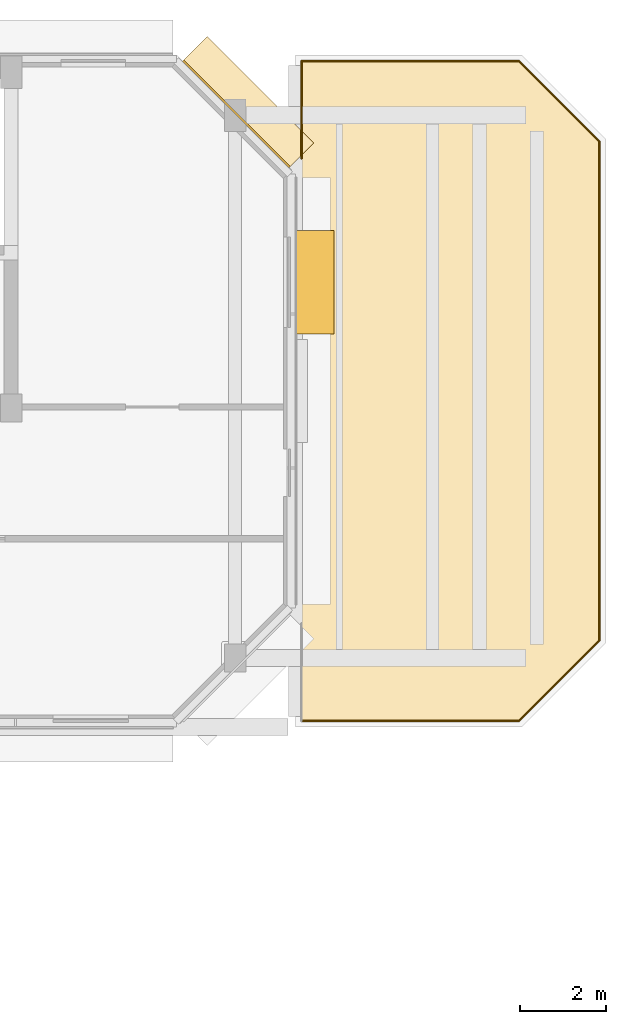
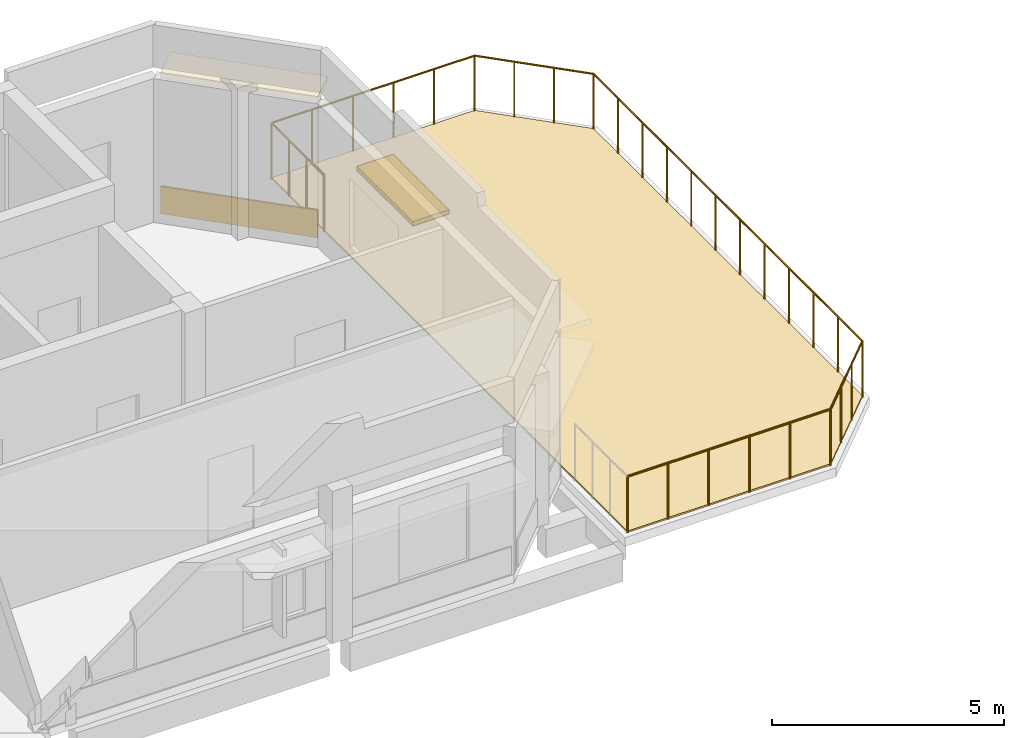
# One storey, part 17 of 17: 3 coverings, 1 railing, 1 shading device.
"""IFC4 building model written with IfcOpenShell, lengths in metres."""

from ifc_helpers import new_model, si_unit, direction, frame, origin, origin_2d, place, context, subcontext, project, spatial, polyline, rectangle, circle, outline, extrude, material, layer, layer_set, type_object, element, save


model = new_model("IFC4")

# Units and contexts
model_context = context("Model", 3, precision=1e-05, world=origin(), true_north=direction((0.0, 1.0)))
body_context = subcontext(model_context, "Body", "Model", "MODEL_VIEW")
ifc_project = project(units=[si_unit("LENGTHUNIT", "METRE"), si_unit("AREAUNIT", "SQUARE_METRE"), si_unit("VOLUMEUNIT", "CUBIC_METRE"), si_unit("PLANEANGLEUNIT", "RADIAN"), si_unit("MASSUNIT", "GRAM", prefix="KILO")], contexts=[model_context])

# Site, building, storey
site_placement = place(None, origin())
site = spatial("IfcSite", under=ifc_project, at=site_placement, CompositionType="ELEMENT")
building_placement = place(site_placement, origin())
building = spatial("IfcBuilding", under=site, at=building_placement, Name="Kelanivale Promenade Academy", CompositionType="ELEMENT")
storey_placement = place(building_placement, frame((0.0, 0.0, 20.199951171875)))
storey = spatial("IfcBuildingStorey", under=building, at=storey_placement, Name="L05", CompositionType="ELEMENT", Elevation=20.199951171875)

# Coverings
ifc_material_1 = material(Name="Warm ivory Art Deco stucco frieze band 40 mm", Category="masonry")
ifc_layer_1 = layer(ifc_material_1, 0.0400390625)
ifc_layer_set_1 = layer_set([ifc_layer_1], Name="Warm ivory Art Deco stucco frieze band 40 mm")
covering_type_1 = type_object("IfcCoveringType", Name="COV-CLD2 Warm ivory Art Deco stucco frieze ba", PredefinedType="CLADDING", material=ifc_layer_set_1)
covering_1_placement = place(storey_placement, frame((136.10302734375, 110.903076171875, 3.6201171875), z_axis=(0.0, 0.0, 1.0), x_axis=(-0.707106781187, 0.707106781187, 0.0)))
element("IfcCovering", 1, at=covering_1_placement, inside=storey, type_object=covering_type_1, Name="Art Deco projecting 820 mm streamline sunshade eyebrow ledge", PredefinedType="CLADDING", context=body_context, shape_type="SweptSolid", body=[
    extrude(rectangle(XDim=3.5009765625, YDim=0.820068359375, at=origin_2d()), origin(), (0.0, 0.0, 1.0), 0.139892578125),
])
covering_2_placement = place(storey_placement, frame((135.8310546875, 110.631103515625, 0.06005859375), z_axis=(0.0, 0.0, 1.0), x_axis=(-0.707106781187, 0.707106781187, 0.0)))
element("IfcCovering", 2, at=covering_2_placement, inside=storey, type_object=covering_type_1, Name="Art Deco ivory stucco sill frieze band", PredefinedType="CLADDING", context=body_context, shape_type="SweptSolid", body=[
    extrude(rectangle(XDim=3.5009765625, YDim=0.0400390625, at=origin_2d()), origin(), (0.0, 0.0, 1.0), 0.719970703125),
])
ifc_material_2 = material(Name="Impact-absorbing EPDM rooftop Play Deck surfacing 40 mm", Category="masonry")
ifc_layer_2 = layer(ifc_material_2, 0.0400390625)
ifc_layer_set_2 = layer_set([ifc_layer_2], Name="Impact-absorbing EPDM rooftop Play Deck surfacing 40 mm")
covering_type_2 = type_object("IfcCoveringType", Name="COV-FLR3 Impact-absorbing EPDM rooftop Play D", PredefinedType="FLOORING", material=ifc_layer_set_2)
covering_3_placement = place(storey_placement, origin())
element("IfcCovering", 3, at=covering_3_placement, inside=storey, type_object=covering_type_2, Name="Science Roof Observation Play Deck EPDM safety surfacing", PredefinedType="FLOORING", context=body_context, shape_type="SweptSolid", body=[
    extrude(outline(polyline([(142.387939453125, 96.5400390625), (144.260009765625, 98.412109375), (144.260009765625, 109.988037109375), (142.387939453125, 111.860107421875), (137.340087890625, 111.860107421875), (137.340087890625, 96.5400390625), (142.387939453125, 96.5400390625)])), origin(), (0.0, 0.0, 1.0), 0.0400390625),
])

# Railing
ifc_material_3 = material(Name="Powder-coated galvanized steel and stainless top rail", Category="steel")
railing_type = type_object("IfcRailingType", Name="GR-02 Play Deck Balustrade 1500mm", PredefinedType="BALUSTRADE", material=ifc_material_3)
railing_placement = place(storey_placement, frame((137.340087890625, 109.595947265625, 0.0)))
element("IfcRailing", 4, at=railing_placement, inside=storey, type_object=railing_type, Name="Science Roof Observation Play Deck 1500 mm safety balustrade", PredefinedType="BALUSTRADE", context=body_context, shape_type="SweptSolid", body=[
    extrude(circle(Radius=0.02392578125, at=origin_2d()), frame((0.0, 0.0, 1.47607421875), z_axis=(0.0, 1.0, 0.0), x_axis=(-1.0, 0.0, 0.0)), (0.0, 0.0, 1.0), 2.26416015625),
    extrude(circle(Radius=0.02392578125, at=origin_2d()), frame((0.0, 2.26416015625, 1.47607421875), z_axis=(1.0, 0.0, 0.0), x_axis=(0.0, 1.0, 0.0)), (0.0, 0.0, 1.0), 5.0478515625),
    extrude(circle(Radius=0.02392578125, at=origin_2d()), frame((5.0478515625, 2.26416015625, 1.47607421875), z_axis=(0.707106781187, -0.707106781187, 0.0), x_axis=(0.707106781187, 0.707106781187, 0.0)), (0.0, 0.0, 1.0), 2.6474609375),
    extrude(circle(Radius=0.02392578125, at=origin_2d()), frame((6.919921875, 0.39208984375, 1.47607421875), z_axis=(0.0, -1.0, 0.0), x_axis=(1.0, 0.0, 0.0)), (0.0, 0.0, 1.0), 11.575927734375),
    extrude(circle(Radius=0.02392578125, at=origin_2d()), frame((6.919921875, -11.183837890625, 1.47607421875), z_axis=(-0.707106781187, -0.707106781187, 0.0), x_axis=(0.707106781187, -0.707106781187, 0.0)), (0.0, 0.0, 1.0), 2.6474609375),
    extrude(circle(Radius=0.02392578125, at=origin_2d()), frame((5.0478515625, -13.055908203125, 1.47607421875), z_axis=(-1.0, 0.0, 0.0), x_axis=(0.0, -1.0, 0.0)), (0.0, 0.0, 1.0), 5.0478515625),
    extrude(circle(Radius=0.02099609375, at=origin_2d()), origin(), (0.0, 0.0, 1.0), 1.451904296875),
    extrude(circle(Radius=0.02099609375, at=origin_2d()), frame((0.0, 0.754638671875, 0.0)), (0.0, 0.0, 1.0), 1.451904296875),
    extrude(circle(Radius=0.02099609375, at=origin_2d()), frame((0.0, 1.509521484375, 0.0)), (0.0, 0.0, 1.0), 1.451904296875),
    extrude(circle(Radius=0.02099609375, at=origin_2d()), frame((0.0, 2.26416015625, 0.0)), (0.0, 0.0, 1.0), 1.451904296875),
    extrude(circle(Radius=0.02099609375, at=origin_2d()), frame((1.009521484375, 2.26416015625, 0.0)), (0.0, 0.0, 1.0), 1.451904296875),
    extrude(circle(Radius=0.02099609375, at=origin_2d()), frame((2.01904296875, 2.26416015625, 0.0)), (0.0, 0.0, 1.0), 1.451904296875),
    extrude(circle(Radius=0.02099609375, at=origin_2d()), frame((3.02880859375, 2.26416015625, 0.0)), (0.0, 0.0, 1.0), 1.451904296875),
    extrude(circle(Radius=0.02099609375, at=origin_2d()), frame((4.038330078125, 2.26416015625, 0.0)), (0.0, 0.0, 1.0), 1.451904296875),
    extrude(circle(Radius=0.02099609375, at=origin_2d()), frame((5.0478515625, 2.26416015625, 0.0)), (0.0, 0.0, 1.0), 1.451904296875),
    extrude(circle(Radius=0.02099609375, at=origin_2d()), frame((5.671875, 1.64013671875, 0.0)), (0.0, 0.0, 1.0), 1.451904296875),
    extrude(circle(Radius=0.02099609375, at=origin_2d()), frame((6.2958984375, 1.01611328125, 0.0)), (0.0, 0.0, 1.0), 1.451904296875),
    extrude(circle(Radius=0.02099609375, at=origin_2d()), frame((6.919921875, 0.39208984375, 0.0)), (0.0, 0.0, 1.0), 1.451904296875),
    extrude(circle(Radius=0.02099609375, at=origin_2d()), frame((6.919921875, -0.66015625, 0.0)), (0.0, 0.0, 1.0), 1.451904296875),
    extrude(circle(Radius=0.02099609375, at=origin_2d()), frame((6.919921875, -1.712646484375, 0.0)), (0.0, 0.0, 1.0), 1.451904296875),
    extrude(circle(Radius=0.02099609375, at=origin_2d()), frame((6.919921875, -2.764892578125, 0.0)), (0.0, 0.0, 1.0), 1.451904296875),
    extrude(circle(Radius=0.02099609375, at=origin_2d()), frame((6.919921875, -3.8173828125, 0.0)), (0.0, 0.0, 1.0), 1.451904296875),
    extrude(circle(Radius=0.02099609375, at=origin_2d()), frame((6.919921875, -4.86962890625, 0.0)), (0.0, 0.0, 1.0), 1.451904296875),
    extrude(circle(Radius=0.02099609375, at=origin_2d()), frame((6.919921875, -5.922119140625, 0.0)), (0.0, 0.0, 1.0), 1.451904296875),
    extrude(circle(Radius=0.02099609375, at=origin_2d()), frame((6.919921875, -6.974365234375, 0.0)), (0.0, 0.0, 1.0), 1.451904296875),
    extrude(circle(Radius=0.02099609375, at=origin_2d()), frame((6.919921875, -8.02685546875, 0.0)), (0.0, 0.0, 1.0), 1.451904296875),
    extrude(circle(Radius=0.02099609375, at=origin_2d()), frame((6.919921875, -9.0791015625, 0.0)), (0.0, 0.0, 1.0), 1.451904296875),
    extrude(circle(Radius=0.02099609375, at=origin_2d()), frame((6.919921875, -10.131591796875, 0.0)), (0.0, 0.0, 1.0), 1.451904296875),
    extrude(circle(Radius=0.02099609375, at=origin_2d()), frame((6.919921875, -11.183837890625, 0.0)), (0.0, 0.0, 1.0), 1.451904296875),
    extrude(circle(Radius=0.02099609375, at=origin_2d()), frame((6.2958984375, -11.807861328125, 0.0)), (0.0, 0.0, 1.0), 1.451904296875),
    extrude(circle(Radius=0.02099609375, at=origin_2d()), frame((5.671875, -12.431884765625, 0.0)), (0.0, 0.0, 1.0), 1.451904296875),
    extrude(circle(Radius=0.02099609375, at=origin_2d()), frame((5.0478515625, -13.055908203125, 0.0)), (0.0, 0.0, 1.0), 1.451904296875),
    extrude(circle(Radius=0.02099609375, at=origin_2d()), frame((4.038330078125, -13.055908203125, 0.0)), (0.0, 0.0, 1.0), 1.451904296875),
    extrude(circle(Radius=0.02099609375, at=origin_2d()), frame((3.02880859375, -13.055908203125, 0.0)), (0.0, 0.0, 1.0), 1.451904296875),
    extrude(circle(Radius=0.02099609375, at=origin_2d()), frame((2.01904296875, -13.055908203125, 0.0)), (0.0, 0.0, 1.0), 1.451904296875),
    extrude(circle(Radius=0.02099609375, at=origin_2d()), frame((1.009521484375, -13.055908203125, 0.0)), (0.0, 0.0, 1.0), 1.451904296875),
    extrude(circle(Radius=0.02099609375, at=origin_2d()), frame((0.0, -13.055908203125, 0.0)), (0.0, 0.0, 1.0), 1.451904296875),
])

# Shading device
ifc_material_4 = material(Name="Precast concrete C40/50", Category="concrete")
ifc_layer_3 = layer(ifc_material_4, 0.1201171875)
ifc_layer_set_3 = layer_set([ifc_layer_3], Name="Precast concrete C40/50")
shading_device_type = type_object("IfcShadingDeviceType", Name="SHD-01 Art Deco Sunshade Eyebrow 900mm", PredefinedType="USERDEFINED", material=ifc_layer_set_3)
shading_device_placement = place(storey_placement, frame((137.639892578125, 106.719970703125, 2.659912109375), z_axis=(0.0, 0.0, 1.0), x_axis=(0.0, 1.0, 0.0)))
element("IfcShadingDevice", 5, at=shading_device_placement, inside=storey, type_object=shading_device_type, Name="Art Deco 900 mm precast chajja window sunshade", ObjectType="SUNSHADE", PredefinedType="USERDEFINED", context=body_context, shape_type="SweptSolid", body=[
    extrude(rectangle(XDim=2.39990234375, YDim=0.89990234375, at=origin_2d()), origin(), (0.0, 0.0, 1.0), 0.1201171875),
])

save(model, "model.ifc")
